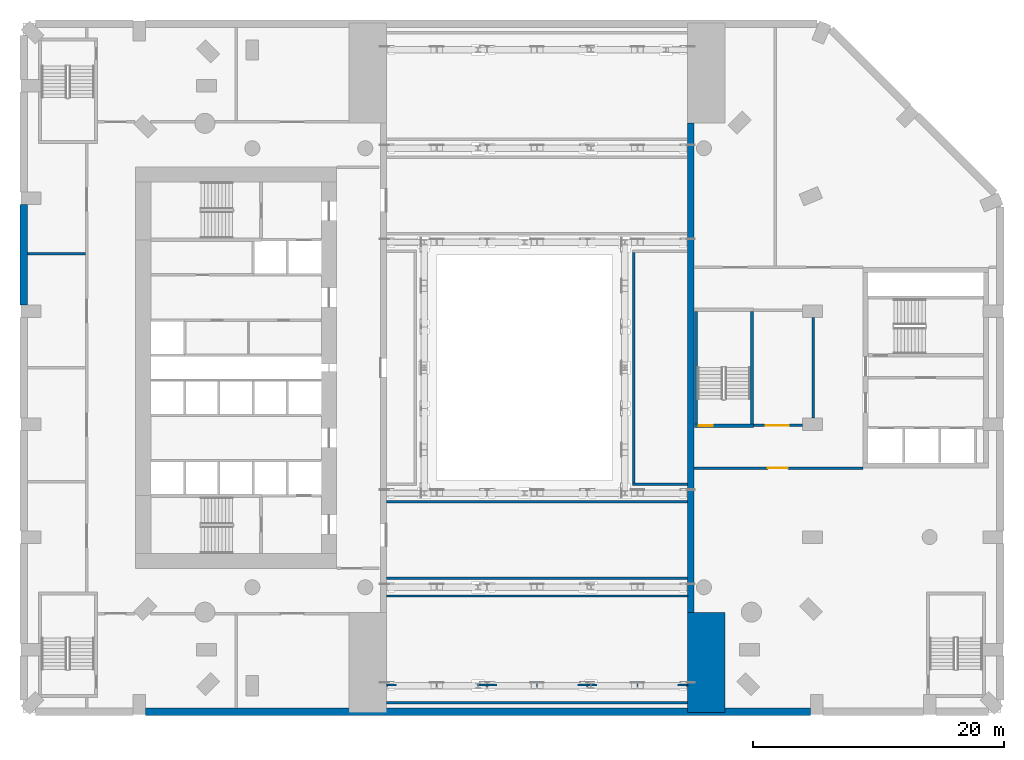
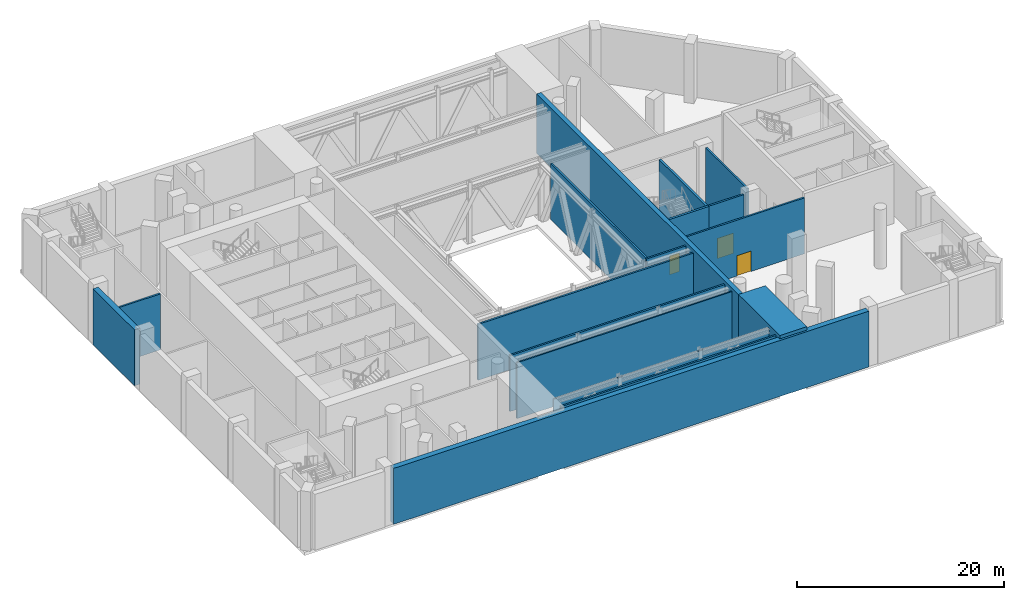
# One storey, part 6 of 21: 18 walls, 3 doors, 3 openings.
"""IFC4 building model written with IfcOpenShell, lengths in metres."""

from ifc_helpers import new_model, si_unit, direction, frame, frame_2d, origin, place, context, subcontext, project, spatial, rectangle, extrude, material, layer, layer_set, type_object, element, fill, save


model = new_model("IFC4")

# Units and contexts
model_context = context("Model", 3, precision=1e-05, world=origin(), true_north=direction((0.0, 1.0)))
body_context = subcontext(model_context, "Body", "Model", "MODEL_VIEW")
ifc_project = project(units=[si_unit("LENGTHUNIT", "METRE"), si_unit("AREAUNIT", "SQUARE_METRE"), si_unit("VOLUMEUNIT", "CUBIC_METRE"), si_unit("PLANEANGLEUNIT", "RADIAN"), si_unit("MASSUNIT", "GRAM", prefix="KILO")], contexts=[model_context])

# Site, building, storey
site_placement = place(None, origin())
site = spatial("IfcSite", under=ifc_project, at=site_placement, CompositionType="ELEMENT")
building_placement = place(site_placement, origin())
building = spatial("IfcBuilding", under=site, at=building_placement, Name="Cypress Arch Tower", CompositionType="ELEMENT")
storey_placement = place(building_placement, frame((0.0, 0.0, 29.0)))
storey = spatial("IfcBuildingStorey", under=building, at=storey_placement, Name="L03", CompositionType="ELEMENT", Elevation=29.0)

# Walls
ifc_material_1 = material(Name="Brick (red buff blend) on blockwork backing", Category="masonry")
ifc_layer_1 = layer(ifc_material_1, 0.60009765625)
ifc_layer_set_1 = layer_set([ifc_layer_1], Name="Brick base wall BW600")
wall_type_1 = type_object("IfcWallType", Name="Brick base wall BW600", PredefinedType="ELEMENTEDWALL", material=ifc_layer_set_1)
wall_1_placement = place(storey_placement, frame((-29.199951171875, -27.425048828125, 0.0), z_axis=(0.0, 0.0, 1.0), x_axis=(1.0, 0.0, 0.0)))
element("IfcWall", 1, at=wall_1_placement, inside=storey, type_object=wall_type_1, Name="Brick wall L03 P00.1", PredefinedType="ELEMENTEDWALL", context=body_context, shape_type="SweptSolid", body=[
    extrude(rectangle(XDim=53.0, YDim=0.60009765625, at=frame_2d((26.5, 0.0))), origin(), (0.0, 0.0, 1.0), 6.60009765625),
])
wall_2_placement = place(storey_placement, frame((-38.925048828125, 13.0, 0.0), z_axis=(0.0, 0.0, 1.0), x_axis=(0.0, -1.0, 0.0)))
element("IfcWall", 2, at=wall_2_placement, inside=storey, type_object=wall_type_1, Name="Brick wall L03 P04.2", PredefinedType="ELEMENTEDWALL", context=body_context, shape_type="SweptSolid", body=[
    extrude(rectangle(XDim=8.0, YDim=0.60009765625, at=frame_2d((4.0, 0.0))), origin(), (0.0, 0.0, 1.0), 6.60009765625),
])
ifc_material_2 = material(Name="Concrete blockwork, plastered, rated", Category="masonry")
ifc_layer_2 = layer(ifc_material_2, 0.199951171875)
ifc_layer_set_2 = layer_set([ifc_layer_2], Name="Corridor wall FW200")
wall_type_2 = type_object("IfcWallType", Name="Corridor wall FW200", PredefinedType="PARTITIONING", material=ifc_layer_set_2)
wall_3_placement = place(storey_placement, frame((9.699951171875, -9.199951171875, 0.0), z_axis=(0.0, 0.0, 1.0), x_axis=(0.0, 1.0, 0.0)))
element("IfcWall", 3, at=wall_3_placement, inside=storey, type_object=wall_type_2, Name="Corridor wall", PredefinedType="PARTITIONING", context=body_context, shape_type="SweptSolid", body=[
    extrude(rectangle(XDim=18.39990234375, YDim=0.199951171875, at=frame_2d((9.199951171875, 0.0))), origin(), (0.0, 0.0, 1.0), 6.597900390625),
])
wall_4_placement = place(storey_placement, frame((9.60009765625, -9.300048828125, 0.0), z_axis=(0.0, 0.0, 1.0), x_axis=(1.0, 0.0, 0.0)))
element("IfcWall", 4, at=wall_4_placement, inside=storey, type_object=wall_type_2, Name="Corridor wall", PredefinedType="PARTITIONING", context=body_context, shape_type="SweptSolid", body=[
    extrude(rectangle(XDim=4.39990234375, YDim=0.199951171875, at=frame_2d((2.199951171875, 0.0))), origin(), (0.0, 0.0, 1.0), 6.597900390625),
])

# Wall, opening, door
wall_5_placement = place(storey_placement, frame((14.5, -8.0, 0.0), z_axis=(0.0, 0.0, 1.0), x_axis=(1.0, 0.0, 0.0)))
wall_5 = element("IfcWall", 5, at=wall_5_placement, inside=storey, type_object=wall_type_2, Name="Corridor wall", PredefinedType="PARTITIONING", context=body_context, shape_type="SweptSolid", body=[
    extrude(rectangle(XDim=13.469970703125, YDim=0.199951171875, at=frame_2d((6.73486328125, 0.0))), origin(), (0.0, 0.0, 1.0), 6.597900390625),
])
opening_1_placement = place(wall_5_placement, frame((5.89990234375, 0.0, 0.0)))
opening_1 = element("IfcOpeningElement", 6, at=opening_1_placement, cuts=wall_5, Name="Opening D10", PredefinedType="OPENING", context=body_context, shape_type="SweptSolid", body=[
    extrude(rectangle(XDim=1.60009765625, YDim=2.39990234375, at=frame_2d((0.800048828125, 1.199951171875))), frame((0.0, 0.10986328125, 0.0), z_axis=(0.0, -1.0, 0.0), x_axis=(1.0, 0.0, 0.0)), (0.0, 0.0, 1.0), 0.219970703125),
])
ifc_material_3 = material(Name="Black aluminium glazed door", Category="aluminium")
door_type_1 = type_object("IfcDoorType", Name="Amenity door D10 1600x2400", OperationType="DOUBLE_DOOR_SINGLE_SWING", PredefinedType="DOOR", material=ifc_material_3)
door_1_placement = place(opening_1_placement, origin())
door_1 = element("IfcDoor", 7, at=door_1_placement, inside=storey, type_object=door_type_1, Name="Amenity door", OperationType="DOUBLE_DOOR_SINGLE_SWING", OverallHeight=2.39990234375, OverallWidth=1.60009765625, PredefinedType="DOOR", context=body_context, shape_type="SweptSolid", body=[
    extrude(rectangle(XDim=1.60009765625, YDim=2.39990234375, at=frame_2d((0.800048828125, 1.199951171875))), frame((0.0, 0.02490234375, 0.0), z_axis=(0.0, -1.0, 0.0), x_axis=(1.0, 0.0, 0.0)), (0.0, 0.0, 1.0), 0.050048828125),
])
fill(opening_1, door_1)

# Walls
ifc_material_4 = material(Name="Blockwork, plastered both sides", Category="masonry")
ifc_layer_3 = layer(ifc_material_4, 0.14990234375)
ifc_layer_set_3 = layer_set([ifc_layer_3], Name="Partition PW150")
wall_type_3 = type_object("IfcWallType", Name="Partition PW150", PredefinedType="PARTITIONING", material=ifc_layer_set_3)
for number, where, z_axis, x_axis, name in (
    (8, (-10.0, -25.300048828125, 0.0), (0.0, 0.0, 1.0), (1.0, 0.0, 0.0), "Partition"),
    (9, (-10.0, -18.199951171875, 0.0), (0.0, 0.0, 1.0), (1.0, 0.0, 0.0), "Partition"),
):
    element("IfcWall", number, at=place(storey_placement, frame(where, z_axis=z_axis, x_axis=x_axis)), inside=storey, type_object=wall_type_3, Name=name, PredefinedType="PARTITIONING", context=body_context, shape_type="SweptSolid", body=[
        extrude(rectangle(XDim=24.0, YDim=0.14990234375, at=frame_2d((12.0, 0.0))), origin(), (0.0, 0.0, 1.0), 6.597900390625),
    ])
ifc_material_5 = material(Name="Concrete C60/75", Category="concrete")
ifc_layer_4 = layer(ifc_material_5, 0.5)
ifc_layer_set_4 = layer_set([ifc_layer_4], Name="Passage wall 500 Concrete C60/75")
wall_type_4 = type_object("IfcWallType", Name="Passage wall 500 Concrete C60/75", PredefinedType="SOLIDWALL", material=ifc_layer_set_4)
wall_6_placement = place(storey_placement, frame((14.25, -19.5, 0.0), z_axis=(0.0, 0.0, 1.0), x_axis=(0.0, 1.0, 0.0)))
element("IfcWall", 10, at=wall_6_placement, inside=storey, type_object=wall_type_4, Name="Gate passage wall E L03", PredefinedType="SOLIDWALL", context=body_context, shape_type="SweptSolid", body=[
    extrude(rectangle(XDim=39.0, YDim=0.5, at=frame_2d((19.5, 0.0))), origin(), (0.0, 0.0, 1.0), 7.0),
])
ifc_material_6 = material(Name="Concrete C80/95", Category="concrete")
ifc_layer_5 = layer(ifc_material_6, 3.0)
ifc_layer_set_5 = layer_set([ifc_layer_5], Name="Pier wall 3000 Concrete C80/95")
wall_type_5 = type_object("IfcWallType", Name="Pier wall 3000 Concrete C80/95", PredefinedType="SOLIDWALL", material=ifc_layer_set_5)
wall_7_placement = place(storey_placement, frame((15.5, -27.5, 0.0), z_axis=(0.0, 0.0, 1.0), x_axis=(0.0, 1.0, 0.0)))
element("IfcWall", 11, at=wall_7_placement, inside=storey, type_object=wall_type_5, Name="Gate pier wall PW-ES L03", PredefinedType="SOLIDWALL", context=body_context, shape_type="SweptSolid", body=[
    extrude(rectangle(XDim=8.0, YDim=3.0, at=frame_2d((4.0, 0.0))), origin(), (0.0, 0.0, 1.0), 7.0),
])
ifc_material_7 = material(Name="Reinforced blockwork, plastered, rated", Category="masonry")
ifc_layer_6 = layer(ifc_material_7, 0.199951171875)
ifc_layer_set_6 = layer_set([ifc_layer_6], Name="Plant and riser wall PL200")
wall_type_6 = type_object("IfcWallType", Name="Plant and riser wall PL200", PredefinedType="PARTITIONING", material=ifc_layer_set_6)
wall_8_placement = place(storey_placement, frame((-38.625, 9.10009765625, 0.0), z_axis=(0.0, 0.0, 1.0), x_axis=(1.0, 0.0, 0.0)))
element("IfcWall", 12, at=wall_8_placement, inside=storey, type_object=wall_type_6, Name="Plant and riser wall", PredefinedType="PARTITIONING", context=body_context, shape_type="SweptSolid", body=[
    extrude(rectangle(XDim=4.625, YDim=0.199951171875, at=frame_2d((2.3125, 0.0))), origin(), (0.0, 0.0, 1.0), 6.597900390625),
])
for number, where, z_axis, x_axis, name in (
    (13, (-10.0, -26.699951171875, 0.0), (0.0, 0.0, 1.0), (1.0, 0.0, 0.0), "Plant and riser wall"),
    (14, (-10.0, -16.800048828125, 0.0), (0.0, 0.0, 1.0), (1.0, 0.0, 0.0), "Plant and riser wall"),
    (15, (-10.0, -10.699951171875, 0.0), (0.0, 0.0, 1.0), (1.0, 0.0, 0.0), "Plant and riser wall"),
):
    element("IfcWall", number, at=place(storey_placement, frame(where, z_axis=z_axis, x_axis=x_axis)), inside=storey, type_object=wall_type_6, Name=name, PredefinedType="PARTITIONING", context=body_context, shape_type="SweptSolid", body=[
        extrude(rectangle(XDim=24.0, YDim=0.199951171875, at=frame_2d((12.0, 0.0))), origin(), (0.0, 0.0, 1.0), 6.597900390625),
    ])

# Wall, opening, door
wall_9_placement = place(storey_placement, frame((19.25, -4.60009765625, 0.0), z_axis=(0.0, 0.0, 1.0), x_axis=(1.0, 0.0, 0.0)))
wall_9 = element("IfcWall", 16, at=wall_9_placement, inside=storey, type_object=wall_type_6, Name="Plant and riser wall", PredefinedType="PARTITIONING", context=body_context, shape_type="SweptSolid", body=[
    extrude(rectangle(XDim=3.89990234375, YDim=0.199951171875, at=frame_2d((1.949951171875, 0.0))), origin(), (0.0, 0.0, 1.0), 6.597900390625),
])
opening_2_placement = place(wall_9_placement, frame((1.0, 0.0, 0.0)))
opening_2 = element("IfcOpeningElement", 17, at=opening_2_placement, cuts=wall_9, Name="Opening D09", PredefinedType="OPENING", context=body_context, shape_type="SweptSolid", body=[
    extrude(rectangle(XDim=1.800048828125, YDim=2.39990234375, at=frame_2d((0.89990234375, 1.199951171875))), frame((0.0, 0.10986328125, 0.0), z_axis=(0.0, -1.0, 0.0), x_axis=(1.0, 0.0, 0.0)), (0.0, 0.0, 1.0), 0.219970703125),
])
ifc_material_8 = material(Name="Steel door, fire resisting", Category="steel")
door_type_2 = type_object("IfcDoorType", Name="Plant room door D09 1800x2400", OperationType="DOUBLE_DOOR_SINGLE_SWING", PredefinedType="DOOR", material=ifc_material_8)
door_2_placement = place(opening_2_placement, origin())
door_2 = element("IfcDoor", 18, at=door_2_placement, inside=storey, type_object=door_type_2, Name="Plant room door", OperationType="DOUBLE_DOOR_SINGLE_SWING", OverallHeight=2.39990234375, OverallWidth=1.800048828125, PredefinedType="DOOR", context=body_context, shape_type="SweptSolid", body=[
    extrude(rectangle(XDim=1.800048828125, YDim=2.39990234375, at=frame_2d((0.89990234375, 1.199951171875))), frame((0.0, 0.02490234375, 0.0), z_axis=(0.0, -1.0, 0.0), x_axis=(1.0, 0.0, 0.0)), (0.0, 0.0, 1.0), 0.050048828125),
])
fill(opening_2, door_2)

# Walls
wall_10_placement = place(storey_placement, frame((24.0, -4.0, 0.0), z_axis=(0.0, 0.0, 1.0), x_axis=(0.0, 1.0, 0.0)))
element("IfcWall", 19, at=wall_10_placement, inside=storey, type_object=wall_type_6, Name="Plant and riser wall", PredefinedType="PARTITIONING", context=body_context, shape_type="SweptSolid", body=[
    extrude(rectangle(XDim=8.0, YDim=0.199951171875, at=frame_2d((4.0, 0.0))), origin(), (0.0, 0.0, 1.0), 6.597900390625),
])
ifc_material_9 = material(Name="Concrete C50/60", Category="concrete")
ifc_layer_7 = layer(ifc_material_9, 0.25)
ifc_layer_set_7 = layer_set([ifc_layer_7], Name="Stair enclosure wall SW250")
wall_type_7 = type_object("IfcWallType", Name="Stair enclosure wall SW250", PredefinedType="SHEAR", material=ifc_layer_set_7)
wall_11_placement = place(storey_placement, frame((14.675048828125, -4.5, 0.0), z_axis=(0.0, 0.0, 1.0), x_axis=(0.0, 1.0, 0.0)))
element("IfcWall", 20, at=wall_11_placement, inside=storey, type_object=wall_type_7, Name="Stair enclosure wall", PredefinedType="SHEAR", context=body_context, shape_type="SweptSolid", body=[
    extrude(rectangle(XDim=9.0, YDim=0.25, at=frame_2d((4.5, 0.0))), origin(), (0.0, 0.0, 1.0), 6.60009765625),
])

# Wall, opening, door
wall_12_placement = place(storey_placement, frame((14.550048828125, -4.625, 0.0), z_axis=(0.0, 0.0, 1.0), x_axis=(1.0, 0.0, 0.0)))
wall_12 = element("IfcWall", 21, at=wall_12_placement, inside=storey, type_object=wall_type_7, Name="Stair enclosure wall", PredefinedType="SHEAR", context=body_context, shape_type="SweptSolid", body=[
    extrude(rectangle(XDim=4.699951171875, YDim=0.25, at=frame_2d((2.35009765625, 0.0))), origin(), (0.0, 0.0, 1.0), 6.60009765625),
])
opening_3_placement = place(wall_12_placement, frame((0.35009765625, 0.0, 0.0)))
opening_3 = element("IfcOpeningElement", 22, at=opening_3_placement, cuts=wall_12, Name="Opening D06", PredefinedType="OPENING", context=body_context, shape_type="SweptSolid", body=[
    extrude(rectangle(XDim=1.10009765625, YDim=2.199951171875, at=frame_2d((0.550048828125, 1.10009765625))), frame((0.0, 0.135009765625, 0.0), z_axis=(0.0, -1.0, 0.0), x_axis=(1.0, 0.0, 0.0)), (0.0, 0.0, 1.0), 0.27001953125),
])
ifc_material_10 = material(Name="Steel door, fire resisting, panic bar", Category="steel")
door_type_3 = type_object("IfcDoorType", Name="Stair door D06 1100x2200", OperationType="SINGLE_SWING_LEFT", PredefinedType="DOOR", material=ifc_material_10)
door_3_placement = place(opening_3_placement, origin())
door_3 = element("IfcDoor", 23, at=door_3_placement, inside=storey, type_object=door_type_3, Name="Stair door", OperationType="SINGLE_SWING_LEFT", OverallHeight=2.199951171875, OverallWidth=1.10009765625, PredefinedType="DOOR", context=body_context, shape_type="SweptSolid", body=[
    extrude(rectangle(XDim=1.10009765625, YDim=2.199951171875, at=frame_2d((0.550048828125, 1.10009765625))), frame((0.0, 0.02490234375, 0.0), z_axis=(0.0, -1.0, 0.0), x_axis=(1.0, 0.0, 0.0)), (0.0, 0.0, 1.0), 0.050048828125),
])
fill(opening_3, door_3)

# Wall
wall_13_placement = place(storey_placement, frame((19.125, -4.5, 0.0), z_axis=(0.0, 0.0, 1.0), x_axis=(0.0, 1.0, 0.0)))
element("IfcWall", 24, at=wall_13_placement, inside=storey, type_object=wall_type_7, Name="Stair enclosure wall", PredefinedType="SHEAR", context=body_context, shape_type="SweptSolid", body=[
    extrude(rectangle(XDim=9.0, YDim=0.25, at=frame_2d((4.5, 0.0))), origin(), (0.0, 0.0, 1.0), 6.60009765625),
])

save(model, "model.ifc")
